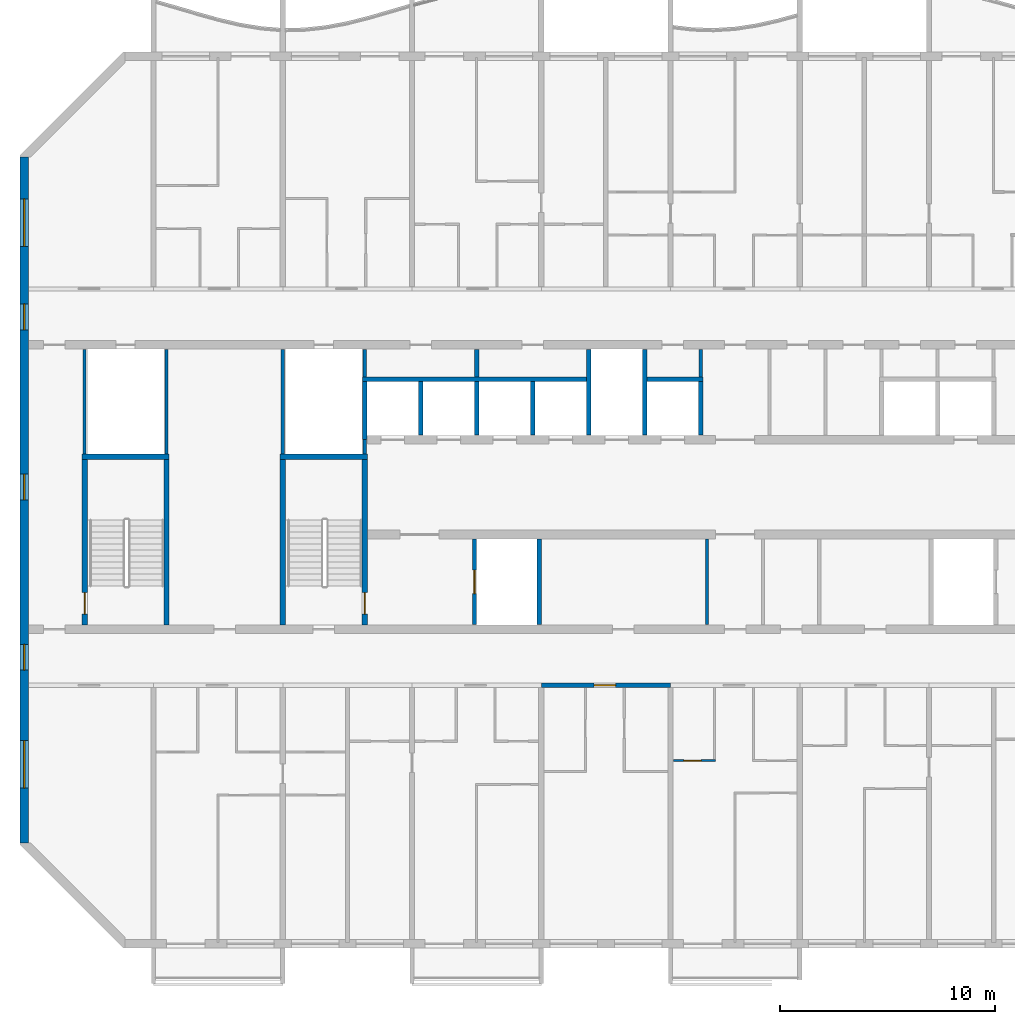
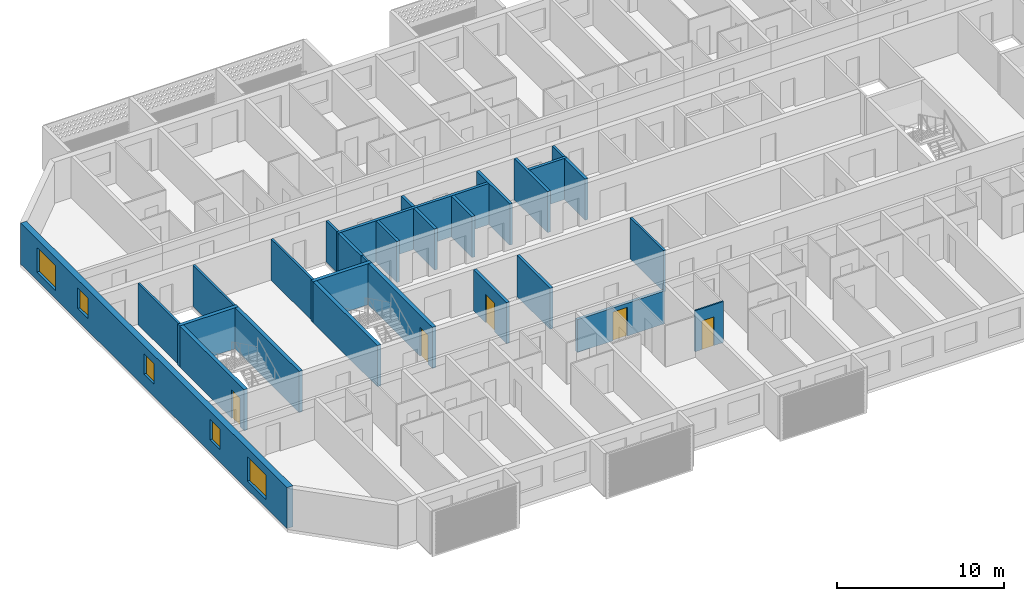
# One storey, part 3 of 27: 28 walls, 5 doors, 5 windows, 10 openings.
"""IFC4 building model written with IfcOpenShell, lengths in metres."""

from ifc_helpers import new_model, si_unit, direction, frame, frame_2d, origin, place, context, subcontext, project, spatial, rectangle, extrude, material, layer, layer_set, type_object, element, fill, save


model = new_model("IFC4")

# Units and contexts
model_context = context("Model", 3, precision=1e-05, world=origin(), true_north=direction((0.0, 1.0)))
body_context = subcontext(model_context, "Body", "Model", "MODEL_VIEW")
ifc_project = project(units=[si_unit("LENGTHUNIT", "METRE"), si_unit("AREAUNIT", "SQUARE_METRE"), si_unit("VOLUMEUNIT", "CUBIC_METRE"), si_unit("PLANEANGLEUNIT", "RADIAN"), si_unit("MASSUNIT", "GRAM", prefix="KILO")], contexts=[model_context])

# Site, building, storey
site_placement = place(None, origin())
site = spatial("IfcSite", under=ifc_project, at=site_placement, CompositionType="ELEMENT")
building_placement = place(site_placement, origin())
building = spatial("IfcBuilding", under=site, at=building_placement, Name="Poui Terraces", CompositionType="ELEMENT")
storey_placement = place(building_placement, frame((0.0, 0.0, 208.199951171875)))
storey = spatial("IfcBuildingStorey", under=building, at=storey_placement, Name="L58", CompositionType="ELEMENT", Elevation=208.199951171875)

# Walls
ifc_material_1 = material(Name="Fire-rated plasterboard wall")
ifc_layer_1 = layer(ifc_material_1, 0.14990234375)
ifc_layer_set_1 = layer_set([ifc_layer_1], Name="Fire-rated plasterboard wall")
wall_type_1 = type_object("IfcWallType", Name="CORRIDOR WALL 150", PredefinedType="PARTITIONING", material=ifc_layer_set_1)
wall_1_placement = place(storey_placement, frame((49.39990234375, 26.300048828125, 0.0), z_axis=(0.0, 0.0, 1.0), x_axis=(0.0, 1.0, 0.0)))
element("IfcWall", 1, at=wall_1_placement, inside=storey, type_object=wall_type_1, Name="CORRIDOR WALL 150", PredefinedType="PARTITIONING", context=body_context, shape_type="SweptSolid", body=[
    extrude(rectangle(XDim=1.2900390625, YDim=0.14990234375, at=frame_2d((0.64501953125, 0.0))), origin(), (0.0, 0.0, 1.0), 3.0),
])
wall_2_placement = place(storey_placement, frame((49.699951171875, 14.81005859375, 0.0), z_axis=(0.0, 0.0, 1.0), x_axis=(0.0, 1.0, 0.0)))
element("IfcWall", 2, at=wall_2_placement, inside=storey, type_object=wall_type_1, Name="CORRIDOR WALL 150", PredefinedType="PARTITIONING", context=body_context, shape_type="SweptSolid", body=[
    extrude(rectangle(XDim=3.97998046875, YDim=0.14990234375, at=frame_2d((1.989990234375, 0.0))), origin(), (0.0, 0.0, 1.0), 3.0),
])

# Wall, opening, door
ifc_material_2 = material(Name="Concrete 50 MPa", Category="concrete")
ifc_layer_2 = layer(ifc_material_2, 0.199951171875)
ifc_layer_set_2 = layer_set([ifc_layer_2], Name="Concrete 50 MPa")
wall_type_2 = type_object("IfcWallType", Name="CORRIDOR WALL 200 50MPa", PredefinedType="SHEAR", material=ifc_layer_set_2)
wall_3_placement = place(storey_placement, frame((42.0, 12.0, 0.0), z_axis=(0.0, 0.0, 1.0), x_axis=(1.0, 0.0, 0.0)))
wall_3 = element("IfcWall", 3, at=wall_3_placement, inside=storey, type_object=wall_type_2, Name="CORRIDOR WALL LINE B BAY 5", PredefinedType="SHEAR", context=body_context, shape_type="SweptSolid", body=[
    extrude(rectangle(XDim=6.0, YDim=0.199951171875, at=frame_2d((3.0, 0.0))), origin(), (0.0, 0.0, 1.0), 2.400146484375),
])
opening_1_placement = place(wall_3_placement, frame((2.449951171875, 0.0, 0.0)))
opening_1 = element("IfcOpeningElement", 4, at=opening_1_placement, cuts=wall_3, Name="Opening FD30S", PredefinedType="OPENING", context=body_context, shape_type="SweptSolid", body=[
    extrude(rectangle(XDim=1.0, YDim=2.10009765625, at=frame_2d((0.5, 1.050048828125))), frame((0.0, 0.10986328125, 0.0), z_axis=(0.0, -1.0, 0.0), x_axis=(1.0, 0.0, 0.0)), (0.0, 0.0, 1.0), 0.219970703125),
])
ifc_material_3 = material(Name="Steel fire door", Category="steel")
door_type_1 = type_object("IfcDoorType", Name="FLAT ENTRANCE DOOR 1000 X 2100", OperationType="NOTDEFINED", PredefinedType="DOOR", material=ifc_material_3)
door_1_placement = place(opening_1_placement, frame((1.0, 0.0, 0.0), z_axis=(0.0, 0.0, 1.0), x_axis=(-1.0, 0.0, 0.0)))
door_1 = element("IfcDoor", 5, at=door_1_placement, inside=storey, type_object=door_type_1, Name="FLAT ENTRANCE DOOR 081", OperationType="SINGLE_SWING_RIGHT", OverallHeight=2.10009765625, OverallWidth=1.0, PredefinedType="DOOR", context=body_context, shape_type="SweptSolid", body=[
    extrude(rectangle(XDim=1.0, YDim=2.10009765625, at=frame_2d((0.5, 1.050048828125))), frame((0.0, 0.02490234375, 0.0), z_axis=(0.0, -1.0, 0.0), x_axis=(1.0, 0.0, 0.0)), (0.0, 0.0, 1.0), 0.050048828125),
])
fill(opening_1, door_1)

# Wall, openings, windows
ifc_layer_3 = layer(ifc_material_2, 0.39990234375)
ifc_layer_set_3 = layer_set([ifc_layer_3], Name="Concrete 50 MPa")
wall_type_3 = type_object("IfcWallType", Name="END WALL 400 50MPa", PredefinedType="SHEAR", material=ifc_layer_set_3)
wall_4_placement = place(storey_placement, frame((18.0, 4.682861328125, 0.0), z_axis=(0.0, 0.0, 1.0), x_axis=(0.0, 1.0, 0.0)))
wall_4 = element("IfcWall", 6, at=wall_4_placement, inside=storey, type_object=wall_type_3, Name="END WALL WEST", PredefinedType="SHEAR", context=body_context, shape_type="SweptSolid", body=[
    extrude(rectangle(XDim=31.834228515625, YDim=0.39990234375, at=frame_2d((15.9169921875, 0.0))), origin(), (0.0, 0.0, 1.0), 3.0),
])
opening_2_placement = place(wall_4_placement, frame((23.817138671875, 0.0, 0.89990234375)))
opening_2 = element("IfcOpeningElement", 7, at=opening_2_placement, cuts=wall_4, Name="Opening W2", PredefinedType="OPENING", context=body_context, shape_type="SweptSolid", body=[
    extrude(rectangle(XDim=1.199951171875, YDim=1.5, at=frame_2d((0.60009765625, 0.75))), frame((0.0, 0.2099609375, 0.0), z_axis=(0.0, -1.0, 0.0), x_axis=(1.0, 0.0, 0.0)), (0.0, 0.0, 1.0), 0.419921875),
])
opening_3_placement = place(wall_4_placement, frame((8.01708984375, 0.0, 0.89990234375)))
opening_3 = element("IfcOpeningElement", 8, at=opening_3_placement, cuts=wall_4, Name="Opening W2", PredefinedType="OPENING", context=body_context, shape_type="SweptSolid", body=[
    extrude(rectangle(XDim=1.199951171875, YDim=1.5, at=frame_2d((0.60009765625, 0.75))), frame((0.0, 0.2099609375, 0.0), z_axis=(0.0, -1.0, 0.0), x_axis=(1.0, 0.0, 0.0)), (0.0, 0.0, 1.0), 0.419921875),
])
opening_4_placement = place(wall_4_placement, frame((27.693603515625, 0.0, 0.60009765625)))
opening_4 = element("IfcOpeningElement", 9, at=opening_4_placement, cuts=wall_4, Name="Opening W3", PredefinedType="OPENING", context=body_context, shape_type="SweptSolid", body=[
    extrude(rectangle(XDim=2.199951171875, YDim=1.800048828125, at=frame_2d((1.10009765625, 0.89990234375))), frame((0.0, 0.2099609375, 0.0), z_axis=(0.0, -1.0, 0.0), x_axis=(1.0, 0.0, 0.0)), (0.0, 0.0, 1.0), 0.419921875),
])
opening_5_placement = place(wall_4_placement, frame((2.541015625, 0.0, 0.60009765625)))
opening_5 = element("IfcOpeningElement", 10, at=opening_5_placement, cuts=wall_4, Name="Opening W3", PredefinedType="OPENING", context=body_context, shape_type="SweptSolid", body=[
    extrude(rectangle(XDim=2.199951171875, YDim=1.800048828125, at=frame_2d((1.10009765625, 0.89990234375))), frame((0.0, 0.2099609375, 0.0), z_axis=(0.0, -1.0, 0.0), x_axis=(1.0, 0.0, 0.0)), (0.0, 0.0, 1.0), 0.419921875),
])
opening_6_placement = place(wall_4_placement, frame((15.917236328125, 0.0, 0.89990234375)))
opening_6 = element("IfcOpeningElement", 11, at=opening_6_placement, cuts=wall_4, Name="Opening W2", PredefinedType="OPENING", context=body_context, shape_type="SweptSolid", body=[
    extrude(rectangle(XDim=1.199951171875, YDim=1.5, at=frame_2d((0.60009765625, 0.75))), frame((0.0, 0.2099609375, 0.0), z_axis=(0.0, -1.0, 0.0), x_axis=(1.0, 0.0, 0.0)), (0.0, 0.0, 1.0), 0.419921875),
])
ifc_material_4 = material(Name="Clear glass in aluminium frame", Category="aluminium")
window_type_1 = type_object("IfcWindowType", Name="WINDOW 1200X1500", PartitioningType="SINGLE_PANEL", PredefinedType="WINDOW", material=ifc_material_4)
window_1_placement = place(opening_2_placement, origin())
window_1 = element("IfcWindow", 12, at=window_1_placement, inside=storey, type_object=window_type_1, Name="W2 WINDOW", OverallHeight=1.5, OverallWidth=1.199951171875, PartitioningType="SINGLE_PANEL", PredefinedType="WINDOW", context=body_context, shape_type="SweptSolid", body=[
    extrude(rectangle(XDim=1.199951171875, YDim=1.5, at=frame_2d((0.60009765625, 0.75))), frame((0.0, 0.030029296875, 0.0), z_axis=(0.0, -1.0, 0.0), x_axis=(1.0, 0.0, 0.0)), (0.0, 0.0, 1.0), 0.06005859375),
])
fill(opening_2, window_1)
window_2_placement = place(opening_3_placement, origin())
window_2 = element("IfcWindow", 13, at=window_2_placement, inside=storey, type_object=window_type_1, Name="W2 WINDOW", OverallHeight=1.5, OverallWidth=1.199951171875, PartitioningType="SINGLE_PANEL", PredefinedType="WINDOW", context=body_context, shape_type="SweptSolid", body=[
    extrude(rectangle(XDim=1.199951171875, YDim=1.5, at=frame_2d((0.60009765625, 0.75))), frame((0.0, 0.030029296875, 0.0), z_axis=(0.0, -1.0, 0.0), x_axis=(1.0, 0.0, 0.0)), (0.0, 0.0, 1.0), 0.06005859375),
])
fill(opening_3, window_2)
window_3_placement = place(opening_6_placement, origin())
window_3 = element("IfcWindow", 14, at=window_3_placement, inside=storey, type_object=window_type_1, Name="W2 WINDOW", OverallHeight=1.5, OverallWidth=1.199951171875, PartitioningType="SINGLE_PANEL", PredefinedType="WINDOW", context=body_context, shape_type="SweptSolid", body=[
    extrude(rectangle(XDim=1.199951171875, YDim=1.5, at=frame_2d((0.60009765625, 0.75))), frame((0.0, 0.030029296875, 0.0), z_axis=(0.0, -1.0, 0.0), x_axis=(1.0, 0.0, 0.0)), (0.0, 0.0, 1.0), 0.06005859375),
])
fill(opening_6, window_3)
window_type_2 = type_object("IfcWindowType", Name="WINDOW 2200X1800", PartitioningType="DOUBLE_PANEL_HORIZONTAL", PredefinedType="WINDOW", material=ifc_material_4)
window_4_placement = place(opening_4_placement, origin())
window_4 = element("IfcWindow", 15, at=window_4_placement, inside=storey, type_object=window_type_2, Name="W3 WINDOW", OverallHeight=1.800048828125, OverallWidth=2.199951171875, PartitioningType="DOUBLE_PANEL_HORIZONTAL", PredefinedType="WINDOW", context=body_context, shape_type="SweptSolid", body=[
    extrude(rectangle(XDim=2.199951171875, YDim=1.800048828125, at=frame_2d((1.10009765625, 0.89990234375))), frame((0.0, 0.030029296875, 0.0), z_axis=(0.0, -1.0, 0.0), x_axis=(1.0, 0.0, 0.0)), (0.0, 0.0, 1.0), 0.06005859375),
])
fill(opening_4, window_4)
window_5_placement = place(opening_5_placement, origin())
window_5 = element("IfcWindow", 16, at=window_5_placement, inside=storey, type_object=window_type_2, Name="W3 WINDOW", OverallHeight=1.800048828125, OverallWidth=2.199951171875, PartitioningType="DOUBLE_PANEL_HORIZONTAL", PredefinedType="WINDOW", context=body_context, shape_type="SweptSolid", body=[
    extrude(rectangle(XDim=2.199951171875, YDim=1.800048828125, at=frame_2d((1.10009765625, 0.89990234375))), frame((0.0, 0.030029296875, 0.0), z_axis=(0.0, -1.0, 0.0), x_axis=(1.0, 0.0, 0.0)), (0.0, 0.0, 1.0), 0.06005859375),
])
fill(opening_5, window_5)

# Wall, opening, door
ifc_material_5 = material(Name="Plasterboard partition")
ifc_layer_4 = layer(ifc_material_5, 0.10009765625)
ifc_layer_set_4 = layer_set([ifc_layer_4], Name="Plasterboard partition")
wall_type_4 = type_object("IfcWallType", Name="FLAT PARTITION 100", PredefinedType="PARTITIONING", material=ifc_layer_set_4)
wall_5_placement = place(storey_placement, frame((48.135009765625, 8.5, 0.0), z_axis=(0.0, 0.0, 1.0), x_axis=(1.0, 0.0, 0.0)))
wall_5 = element("IfcWall", 17, at=wall_5_placement, inside=storey, type_object=wall_type_4, Name="FLAT PARTITION 100", PredefinedType="PARTITIONING", context=body_context, shape_type="SweptSolid", body=[
    extrude(rectangle(XDim=1.965087890625, YDim=0.10009765625, at=frame_2d((0.982421875, 0.0))), origin(), (0.0, 0.0, 1.0), 3.0),
])
opening_7_placement = place(wall_5_placement, frame((0.489990234375, 0.0, 0.0)))
opening_7 = element("IfcOpeningElement", 18, at=opening_7_placement, cuts=wall_5, Name="Opening D80", PredefinedType="OPENING", context=body_context, shape_type="SweptSolid", body=[
    extrude(rectangle(XDim=0.800048828125, YDim=2.10009765625, at=frame_2d((0.39990234375, 1.050048828125))), frame((0.0, 0.06005859375, 0.0), z_axis=(0.0, -1.0, 0.0), x_axis=(1.0, 0.0, 0.0)), (0.0, 0.0, 1.0), 0.1201171875),
])
ifc_material_6 = material(Name="Solid core timber door", Category="wood")
door_type_2 = type_object("IfcDoorType", Name="BATHROOM, LAUNDRY AND STORE DOOR 800 X 2100", OperationType="NOTDEFINED", PredefinedType="DOOR", material=ifc_material_6)
door_2_placement = place(opening_7_placement, origin())
door_2 = element("IfcDoor", 19, at=door_2_placement, inside=storey, type_object=door_type_2, Name="BATHROOM, LAUNDRY AND STORE DOOR 083", OperationType="SINGLE_SWING_LEFT", OverallHeight=2.10009765625, OverallWidth=0.800048828125, PredefinedType="DOOR", context=body_context, shape_type="SweptSolid", body=[
    extrude(rectangle(XDim=0.800048828125, YDim=2.10009765625, at=frame_2d((0.39990234375, 1.050048828125))), frame((0.0, 0.02490234375, 0.0), z_axis=(0.0, -1.0, 0.0), x_axis=(1.0, 0.0, 0.0)), (0.0, 0.0, 1.0), 0.050048828125),
])
fill(opening_7, door_2)

# Walls
ifc_material_7 = material(Name="Fire-rated masonry wall", Category="masonry")
ifc_layer_5 = layer(ifc_material_7, 0.199951171875)
ifc_layer_set_5 = layer_set([ifc_layer_5], Name="Fire-rated masonry wall")
wall_type_5 = type_object("IfcWallType", Name="PLANT ROOM WALL 200", PredefinedType="PARTITIONING", material=ifc_layer_set_5)
wall_6_placement = place(storey_placement, frame((39.0, 26.300048828125, 0.0), z_axis=(0.0, 0.0, 1.0), x_axis=(0.0, 1.0, 0.0)))
element("IfcWall", 20, at=wall_6_placement, inside=storey, type_object=wall_type_5, Name="PLANT ROOM WALL 200", PredefinedType="PARTITIONING", context=body_context, shape_type="SweptSolid", body=[
    extrude(rectangle(XDim=1.2900390625, YDim=0.199951171875, at=frame_2d((0.64501953125, 0.0))), origin(), (0.0, 0.0, 1.0), 3.0),
])
ifc_material_8 = material(Name="Fire-rated plasterboard riser wall")
ifc_layer_6 = layer(ifc_material_8, 0.14990234375)
ifc_layer_set_6 = layer_set([ifc_layer_6], Name="Fire-rated plasterboard riser wall")
wall_type_6 = type_object("IfcWallType", Name="RISER WALL 150", PredefinedType="PARTITIONING", material=ifc_layer_set_6)
for number, where, z_axis, x_axis, name in (
    (21, (20.800048828125, 22.735107421875, 0.0), (0.0, 0.0, 1.0), (0.0, 1.0, 0.0), "RISER WALL 150"),
    (22, (24.60009765625, 22.735107421875, 0.0), (0.0, 0.0, 1.0), (0.0, 1.0, 0.0), "RISER WALL 150"),
    (23, (30.0, 22.735107421875, 0.0), (0.0, 0.0, 1.0), (0.0, 1.0, 0.0), "RISER WALL 150"),
):
    element("IfcWall", number, at=place(storey_placement, frame(where, z_axis=z_axis, x_axis=x_axis)), inside=storey, type_object=wall_type_6, Name=name, PredefinedType="PARTITIONING", context=body_context, shape_type="SweptSolid", body=[
        extrude(rectangle(XDim=4.85498046875, YDim=0.14990234375, at=frame_2d((2.427490234375, 0.0))), origin(), (0.0, 0.0, 1.0), 3.0),
    ])
wall_7_placement = place(storey_placement, frame((33.800048828125, 22.735107421875, 0.0), z_axis=(0.0, 0.0, 1.0), x_axis=(0.0, 1.0, 0.0)))
element("IfcWall", 24, at=wall_7_placement, inside=storey, type_object=wall_type_6, Name="RISER WALL 150", PredefinedType="PARTITIONING", context=body_context, shape_type="SweptSolid", body=[
    extrude(rectangle(XDim=0.664794921875, YDim=0.14990234375, at=frame_2d((0.33251953125, 0.0))), origin(), (0.0, 0.0, 1.0), 3.0),
])
wall_8_placement = place(storey_placement, frame((33.800048828125, 26.300048828125, 0.0), z_axis=(0.0, 0.0, 1.0), x_axis=(0.0, 1.0, 0.0)))
element("IfcWall", 25, at=wall_8_placement, inside=storey, type_object=wall_type_6, Name="RISER WALL 150", PredefinedType="PARTITIONING", context=body_context, shape_type="SweptSolid", body=[
    extrude(rectangle(XDim=1.2900390625, YDim=0.14990234375, at=frame_2d((0.64501953125, 0.0))), origin(), (0.0, 0.0, 1.0), 3.0),
])
ifc_material_9 = material(Name="Fire-rated masonry shaft wall", Category="masonry")
ifc_layer_7 = layer(ifc_material_9, 0.199951171875)
ifc_layer_set_7 = layer_set([ifc_layer_7], Name="Fire-rated masonry shaft wall")
wall_type_7 = type_object("IfcWallType", Name="SHAFT WALL 200", PredefinedType="PARTITIONING", material=ifc_layer_set_7)
wall_9_placement = place(storey_placement, frame((33.699951171875, 26.199951171875, 0.0), z_axis=(0.0, 0.0, 1.0), x_axis=(1.0, 0.0, 0.0)))
element("IfcWall", 26, at=wall_9_placement, inside=storey, type_object=wall_type_7, Name="SHAFT WALL 200", PredefinedType="PARTITIONING", context=body_context, shape_type="SweptSolid", body=[
    extrude(rectangle(XDim=10.400146484375, YDim=0.199951171875, at=frame_2d((5.2001953125, 0.0))), origin(), (0.0, 0.0, 1.0), 3.0),
])
wall_10_placement = place(storey_placement, frame((46.89990234375, 26.199951171875, 0.0), z_axis=(0.0, 0.0, 1.0), x_axis=(1.0, 0.0, 0.0)))
element("IfcWall", 27, at=wall_10_placement, inside=storey, type_object=wall_type_7, Name="SHAFT WALL 200", PredefinedType="PARTITIONING", context=body_context, shape_type="SweptSolid", body=[
    extrude(rectangle(XDim=2.60009765625, YDim=0.199951171875, at=frame_2d((1.300048828125, 0.0))), origin(), (0.0, 0.0, 1.0), 3.0),
])
wall_11_placement = place(storey_placement, frame((33.800048828125, 23.39990234375, 0.0), z_axis=(0.0, 0.0, 1.0), x_axis=(0.0, 1.0, 0.0)))
element("IfcWall", 28, at=wall_11_placement, inside=storey, type_object=wall_type_7, Name="SHAFT WALL 200", PredefinedType="PARTITIONING", context=body_context, shape_type="SweptSolid", body=[
    extrude(rectangle(XDim=2.7001953125, YDim=0.199951171875, at=frame_2d((1.35009765625, 0.0))), origin(), (0.0, 0.0, 1.0), 3.0),
])
wall_12_placement = place(storey_placement, frame((36.39990234375, 23.610107421875, 0.0), z_axis=(0.0, 0.0, 1.0), x_axis=(0.0, 1.0, 0.0)))
element("IfcWall", 29, at=wall_12_placement, inside=storey, type_object=wall_type_7, Name="SHAFT WALL 200", PredefinedType="PARTITIONING", context=body_context, shape_type="SweptSolid", body=[
    extrude(rectangle(XDim=2.489990234375, YDim=0.199951171875, at=frame_2d((1.2451171875, 0.0))), origin(), (0.0, 0.0, 1.0), 3.0),
])

# Wall, opening, door
wall_13_placement = place(storey_placement, frame((38.89990234375, 14.81005859375, 0.0), z_axis=(0.0, 0.0, 1.0), x_axis=(0.0, 1.0, 0.0)))
wall_13 = element("IfcWall", 30, at=wall_13_placement, inside=storey, type_object=wall_type_7, Name="SHAFT WALL 200", PredefinedType="PARTITIONING", context=body_context, shape_type="SweptSolid", body=[
    extrude(rectangle(XDim=3.97998046875, YDim=0.199951171875, at=frame_2d((1.989990234375, 0.0))), origin(), (0.0, 0.0, 1.0), 3.0),
])
opening_8_placement = place(wall_13_placement, frame((1.43994140625, 0.0, 0.0)))
opening_8 = element("IfcOpeningElement", 31, at=opening_8_placement, cuts=wall_13, Name="Opening LD", PredefinedType="OPENING", context=body_context, shape_type="SweptSolid", body=[
    extrude(rectangle(XDim=1.10009765625, YDim=2.10009765625, at=frame_2d((0.550048828125, 1.050048828125))), frame((0.0, 0.10986328125, 0.0), z_axis=(0.0, -1.0, 0.0), x_axis=(1.0, 0.0, 0.0)), (0.0, 0.0, 1.0), 0.219970703125),
])
ifc_material_10 = material(Name="Stainless steel sliding door", Category="steel")
door_type_3 = type_object("IfcDoorType", Name="LIFT LANDING DOOR 1100 X 2100", OperationType="DOUBLE_DOOR_SLIDING", PredefinedType="DOOR", material=ifc_material_10)
door_3_placement = place(opening_8_placement, origin())
door_3 = element("IfcDoor", 32, at=door_3_placement, inside=storey, type_object=door_type_3, Name="LANDING DOOR", OperationType="DOUBLE_DOOR_SLIDING", OverallHeight=2.10009765625, OverallWidth=1.10009765625, PredefinedType="DOOR", context=body_context, shape_type="SweptSolid", body=[
    extrude(rectangle(XDim=1.10009765625, YDim=2.10009765625, at=frame_2d((0.550048828125, 1.050048828125))), frame((0.0, 0.02490234375, 0.0), z_axis=(0.0, -1.0, 0.0), x_axis=(1.0, 0.0, 0.0)), (0.0, 0.0, 1.0), 0.050048828125),
])
fill(opening_8, door_3)

# Walls
for number, where, z_axis, x_axis, name in (
    (33, (39.0, 23.610107421875, 0.0), (0.0, 0.0, 1.0), (0.0, 1.0, 0.0), "SHAFT WALL 200"),
    (34, (41.60009765625, 23.610107421875, 0.0), (0.0, 0.0, 1.0), (0.0, 1.0, 0.0), "SHAFT WALL 200"),
):
    element("IfcWall", number, at=place(storey_placement, frame(where, z_axis=z_axis, x_axis=x_axis)), inside=storey, type_object=wall_type_7, Name=name, PredefinedType="PARTITIONING", context=body_context, shape_type="SweptSolid", body=[
        extrude(rectangle(XDim=2.489990234375, YDim=0.199951171875, at=frame_2d((1.2451171875, 0.0))), origin(), (0.0, 0.0, 1.0), 3.0),
    ])
for number, where, z_axis, x_axis, name in (
    (35, (41.89990234375, 14.81005859375, 0.0), (0.0, 0.0, 1.0), (0.0, 1.0, 0.0), "SHAFT WALL 200"),
    (36, (44.199951171875, 23.610107421875, 0.0), (0.0, 0.0, 1.0), (0.0, 1.0, 0.0), "SHAFT WALL 200"),
    (37, (46.800048828125, 23.610107421875, 0.0), (0.0, 0.0, 1.0), (0.0, 1.0, 0.0), "SHAFT WALL 200"),
):
    element("IfcWall", number, at=place(storey_placement, frame(where, z_axis=z_axis, x_axis=x_axis)), inside=storey, type_object=wall_type_7, Name=name, PredefinedType="PARTITIONING", context=body_context, shape_type="SweptSolid", body=[
        extrude(rectangle(XDim=3.97998046875, YDim=0.199951171875, at=frame_2d((1.989990234375, 0.0))), origin(), (0.0, 0.0, 1.0), 3.0),
    ])
wall_14_placement = place(storey_placement, frame((49.39990234375, 23.610107421875, 0.0), z_axis=(0.0, 0.0, 1.0), x_axis=(0.0, 1.0, 0.0)))
element("IfcWall", 38, at=wall_14_placement, inside=storey, type_object=wall_type_7, Name="SHAFT WALL 200", PredefinedType="PARTITIONING", context=body_context, shape_type="SweptSolid", body=[
    extrude(rectangle(XDim=2.489990234375, YDim=0.199951171875, at=frame_2d((1.2451171875, 0.0))), origin(), (0.0, 0.0, 1.0), 3.0),
])
ifc_layer_8 = layer(ifc_material_2, 0.25)
ifc_layer_set_8 = layer_set([ifc_layer_8], Name="Concrete 50 MPa")
wall_type_8 = type_object("IfcWallType", Name="STAIR CORE WALL 250 50 MPA", PredefinedType="SOLIDWALL", material=ifc_layer_set_8)
wall_15_placement = place(storey_placement, frame((30.0, 14.800048828125, 0.0), z_axis=(0.0, 0.0, 1.0), x_axis=(0.0, 1.0, 0.0)))
element("IfcWall", 39, at=wall_15_placement, inside=storey, type_object=wall_type_8, Name="STAIR CORE WALL", PredefinedType="SOLIDWALL", context=body_context, shape_type="SweptSolid", body=[
    extrude(rectangle(XDim=7.675048828125, YDim=0.25, at=frame_2d((3.83740234375, 0.0))), origin(), (0.0, 0.0, 1.0), 3.0),
])

# Wall, opening, door
wall_16_placement = place(storey_placement, frame((33.800048828125, 14.800048828125, 0.0), z_axis=(0.0, 0.0, 1.0), x_axis=(0.0, 1.0, 0.0)))
wall_16 = element("IfcWall", 40, at=wall_16_placement, inside=storey, type_object=wall_type_8, Name="STAIR CORE WALL", PredefinedType="SOLIDWALL", context=body_context, shape_type="SweptSolid", body=[
    extrude(rectangle(XDim=7.675048828125, YDim=0.25, at=frame_2d((3.83740234375, 0.0))), origin(), (0.0, 0.0, 1.0), 3.0),
])
opening_9_placement = place(wall_16_placement, frame((0.5, 0.0, 0.0)))
opening_9 = element("IfcOpeningElement", 41, at=opening_9_placement, cuts=wall_16, Name="Opening FD60S", PredefinedType="OPENING", context=body_context, shape_type="SweptSolid", body=[
    extrude(rectangle(XDim=1.0, YDim=2.10009765625, at=frame_2d((0.5, 1.050048828125))), frame((0.0, 0.135009765625, 0.0), z_axis=(0.0, -1.0, 0.0), x_axis=(1.0, 0.0, 0.0)), (0.0, 0.0, 1.0), 0.27001953125),
])
door_type_4 = type_object("IfcDoorType", Name="STAIR DOOR 1000 X 2100", OperationType="NOTDEFINED", PredefinedType="DOOR", material=ifc_material_3)
door_4_placement = place(opening_9_placement, origin())
door_4 = element("IfcDoor", 42, at=door_4_placement, inside=storey, type_object=door_type_4, Name="STAIR DOOR 104", OperationType="SINGLE_SWING_LEFT", OverallHeight=2.10009765625, OverallWidth=1.0, PredefinedType="DOOR", context=body_context, shape_type="SweptSolid", body=[
    extrude(rectangle(XDim=1.0, YDim=2.10009765625, at=frame_2d((0.5, 1.050048828125))), frame((0.0, 0.02490234375, 0.0), z_axis=(0.0, -1.0, 0.0), x_axis=(1.0, 0.0, 0.0)), (0.0, 0.0, 1.0), 0.050048828125),
])
fill(opening_9, door_4)

# Wall
wall_17_placement = place(storey_placement, frame((29.875, 22.60009765625, 0.0), z_axis=(0.0, 0.0, 1.0), x_axis=(1.0, 0.0, 0.0)))
element("IfcWall", 43, at=wall_17_placement, inside=storey, type_object=wall_type_8, Name="STAIR CORE WALL", PredefinedType="SOLIDWALL", context=body_context, shape_type="SweptSolid", body=[
    extrude(rectangle(XDim=4.050048828125, YDim=0.25, at=frame_2d((2.02490234375, 0.0))), origin(), (0.0, 0.0, 1.0), 3.0),
])

# Wall, opening, door
wall_18_placement = place(storey_placement, frame((20.800048828125, 14.800048828125, 0.0), z_axis=(0.0, 0.0, 1.0), x_axis=(0.0, 1.0, 0.0)))
wall_18 = element("IfcWall", 44, at=wall_18_placement, inside=storey, type_object=wall_type_8, Name="STAIR CORE WALL", PredefinedType="SOLIDWALL", context=body_context, shape_type="SweptSolid", body=[
    extrude(rectangle(XDim=7.675048828125, YDim=0.25, at=frame_2d((3.83740234375, 0.0))), origin(), (0.0, 0.0, 1.0), 3.0),
])
opening_10_placement = place(wall_18_placement, frame((0.5, 0.0, 0.0)))
opening_10 = element("IfcOpeningElement", 45, at=opening_10_placement, cuts=wall_18, Name="Opening FD60S", PredefinedType="OPENING", context=body_context, shape_type="SweptSolid", body=[
    extrude(rectangle(XDim=1.0, YDim=2.10009765625, at=frame_2d((0.5, 1.050048828125))), frame((0.0, 0.135009765625, 0.0), z_axis=(0.0, -1.0, 0.0), x_axis=(1.0, 0.0, 0.0)), (0.0, 0.0, 1.0), 0.27001953125),
])
door_5_placement = place(opening_10_placement, frame((1.0, 0.0, 0.0), z_axis=(0.0, 0.0, 1.0), x_axis=(-1.0, 0.0, 0.0)))
door_5 = element("IfcDoor", 46, at=door_5_placement, inside=storey, type_object=door_type_4, Name="STAIR DOOR 118", OperationType="SINGLE_SWING_RIGHT", OverallHeight=2.10009765625, OverallWidth=1.0, PredefinedType="DOOR", context=body_context, shape_type="SweptSolid", body=[
    extrude(rectangle(XDim=1.0, YDim=2.10009765625, at=frame_2d((0.5, 1.050048828125))), frame((0.0, 0.02490234375, 0.0), z_axis=(0.0, -1.0, 0.0), x_axis=(1.0, 0.0, 0.0)), (0.0, 0.0, 1.0), 0.050048828125),
])
fill(opening_10, door_5)

# Walls
wall_19_placement = place(storey_placement, frame((24.60009765625, 14.800048828125, 0.0), z_axis=(0.0, 0.0, 1.0), x_axis=(0.0, 1.0, 0.0)))
element("IfcWall", 47, at=wall_19_placement, inside=storey, type_object=wall_type_8, Name="STAIR CORE WALL", PredefinedType="SOLIDWALL", context=body_context, shape_type="SweptSolid", body=[
    extrude(rectangle(XDim=7.675048828125, YDim=0.25, at=frame_2d((3.83740234375, 0.0))), origin(), (0.0, 0.0, 1.0), 3.0),
])
wall_20_placement = place(storey_placement, frame((20.675048828125, 22.60009765625, 0.0), z_axis=(0.0, 0.0, 1.0), x_axis=(1.0, 0.0, 0.0)))
element("IfcWall", 48, at=wall_20_placement, inside=storey, type_object=wall_type_8, Name="STAIR CORE WALL", PredefinedType="SOLIDWALL", context=body_context, shape_type="SweptSolid", body=[
    extrude(rectangle(XDim=4.050048828125, YDim=0.25, at=frame_2d((2.02490234375, 0.0))), origin(), (0.0, 0.0, 1.0), 3.0),
])

save(model, "model.ifc")
